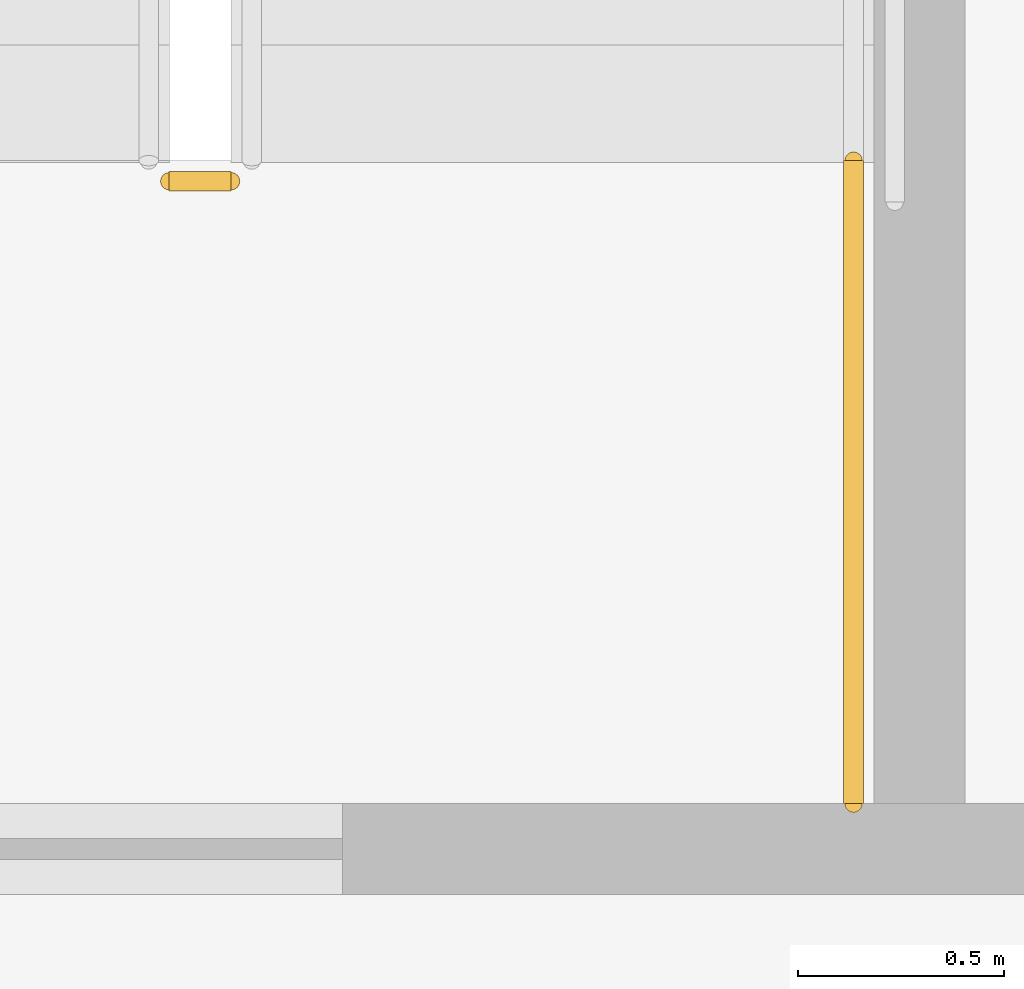
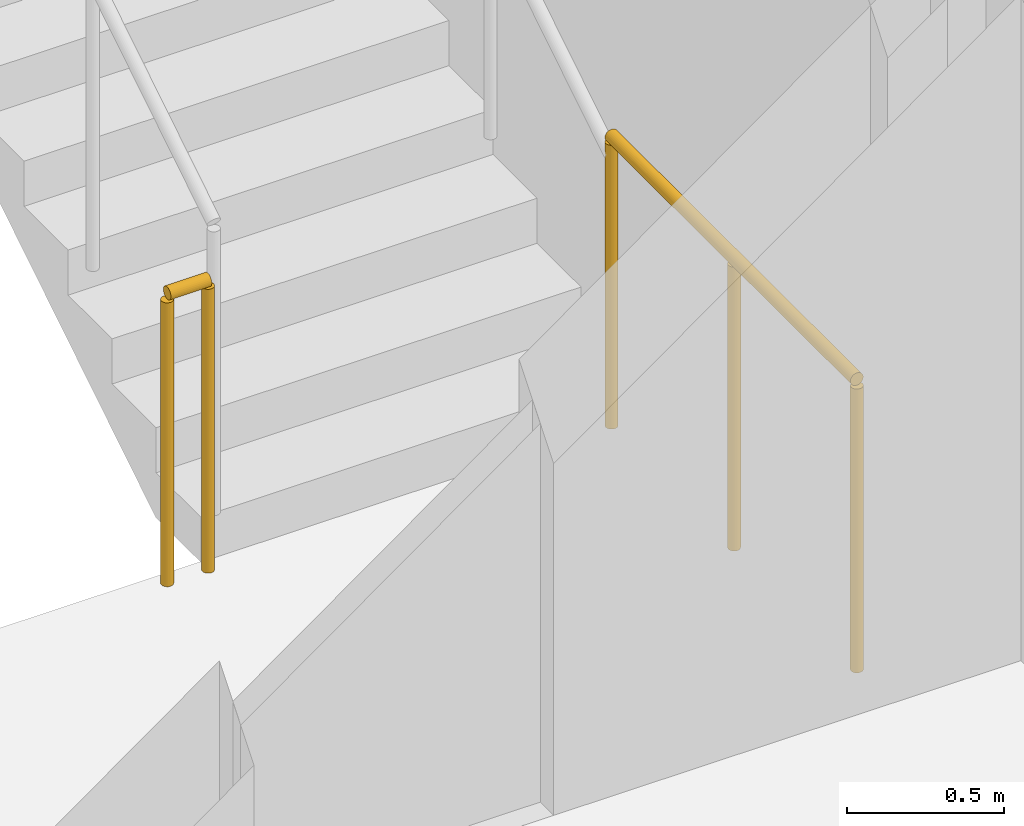
# One storey, part 12 of 15: 2 railings.
"""IFC4 building model written with IfcOpenShell, lengths in metres."""

from ifc_helpers import new_model, si_unit, direction, frame, origin, origin_2d, place, context, subcontext, project, spatial, circle, extrude, material, type_object, element, save


model = new_model("IFC4")

# Units and contexts
model_context = context("Model", 3, precision=1e-05, world=origin(), true_north=direction((0.0, 1.0)))
body_context = subcontext(model_context, "Body", "Model", "MODEL_VIEW")
ifc_project = project(units=[si_unit("LENGTHUNIT", "METRE"), si_unit("AREAUNIT", "SQUARE_METRE"), si_unit("VOLUMEUNIT", "CUBIC_METRE"), si_unit("PLANEANGLEUNIT", "RADIAN"), si_unit("MASSUNIT", "GRAM", prefix="KILO")], contexts=[model_context])

# Site, building, storey
site_placement = place(None, origin())
site = spatial("IfcSite", under=ifc_project, at=site_placement, CompositionType="ELEMENT")
building_placement = place(site_placement, origin())
building = spatial("IfcBuilding", under=site, at=building_placement, Name="Khairoan Windgate Tower", CompositionType="ELEMENT")
storey_placement = place(building_placement, frame((0.0, 0.0, 30.199951171875)))
storey = spatial("IfcBuildingStorey", under=building, at=storey_placement, Name="L07", CompositionType="ELEMENT", Elevation=30.199951171875)

# Railings
ifc_material = material(Name="Steel S355", Category="steel")
railing_type = type_object("IfcRailingType", Name="Stairwell Safety Guardrail SGR-1150", PredefinedType="GUARDRAIL", material=ifc_material)
railing_1_placement = place(storey_placement, frame((-17.7099609375, 2.909912109375, 0.0)))
element("IfcRailing", 1, at=railing_1_placement, inside=storey, type_object=railing_type, Name="L07 ST2 stair guard 7", PredefinedType="GUARDRAIL", context=body_context, shape_type="SweptSolid", body=[
    extrude(circle(Radius=0.02392578125, at=origin_2d()), frame((0.0, 0.0, 1.1259765625), z_axis=(-1.0, 0.0, 0.0), x_axis=(0.0, -1.0, 0.0)), (0.0, 0.0, 1.0), 0.150146484375),
    extrude(circle(Radius=0.02099609375, at=origin_2d()), origin(), (0.0, 0.0, 1.0), 1.101806640625),
    extrude(circle(Radius=0.02099609375, at=origin_2d()), frame((-0.150146484375, 0.0, 0.0)), (0.0, 0.0, 1.0), 1.101806640625),
])
railing_2_placement = place(storey_placement, frame((-16.199951171875, 1.39990234375, 0.0)))
element("IfcRailing", 2, at=railing_2_placement, inside=storey, type_object=railing_type, Name="L07 ST2 stair guard 8", PredefinedType="GUARDRAIL", context=body_context, shape_type="SweptSolid", body=[
    extrude(circle(Radius=0.02392578125, at=origin_2d()), frame((0.0, 0.0, 1.1259765625), z_axis=(0.0, 1.0, 0.0), x_axis=(-1.0, 0.0, 0.0)), (0.0, 0.0, 1.0), 1.56005859375),
    extrude(circle(Radius=0.02099609375, at=origin_2d()), origin(), (0.0, 0.0, 1.0), 1.101806640625),
    extrude(circle(Radius=0.02099609375, at=origin_2d()), frame((0.0, 0.780029296875, 0.0)), (0.0, 0.0, 1.0), 1.101806640625),
    extrude(circle(Radius=0.02099609375, at=origin_2d()), frame((0.0, 1.56005859375, 0.0)), (0.0, 0.0, 1.0), 1.101806640625),
])

save(model, "model.ifc")
